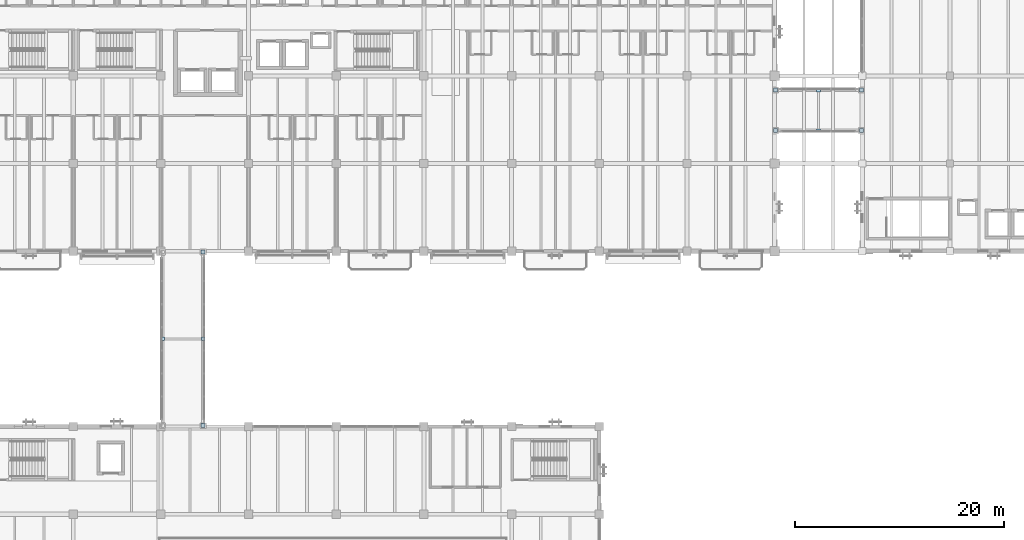
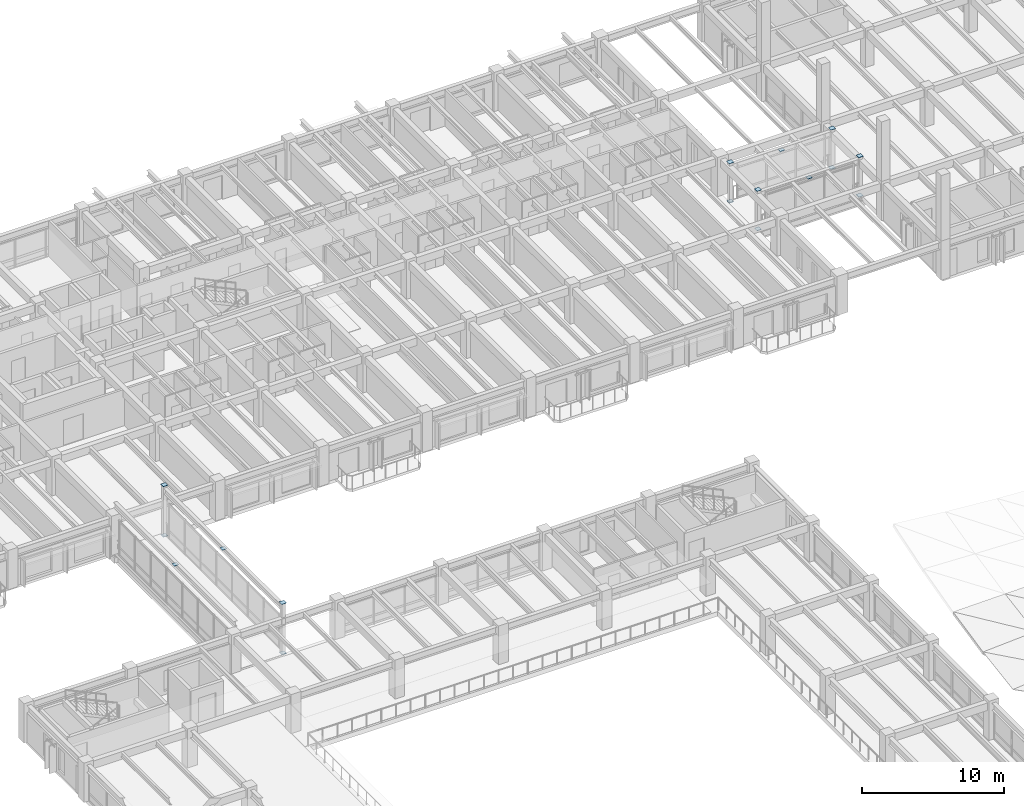
# One storey, part 73 of 123: 16 plates.
"""IFC4 building model written with IfcOpenShell, lengths in metres."""

from ifc_helpers import new_model, si_unit, direction, frame, origin, origin_2d, place, context, subcontext, project, spatial, rectangle, extrude, material, layer, layer_set, type_object, element, save


model = new_model("IFC4")

# Units and contexts
model_context = context("Model", 3, precision=1e-05, world=origin(), true_north=direction((0.0, 1.0)))
body_context = subcontext(model_context, "Body", "Model", "MODEL_VIEW")
ifc_project = project(units=[si_unit("LENGTHUNIT", "METRE"), si_unit("AREAUNIT", "SQUARE_METRE"), si_unit("VOLUMEUNIT", "CUBIC_METRE"), si_unit("PLANEANGLEUNIT", "RADIAN"), si_unit("MASSUNIT", "GRAM", prefix="KILO")], contexts=[model_context])

# Site, building, storey
site_placement = place(None, origin())
site = spatial("IfcSite", under=ifc_project, at=site_placement, CompositionType="ELEMENT")
building_placement = place(site_placement, origin())
building = spatial("IfcBuilding", under=site, at=building_placement, Name="Cumbredor Promenade Congress Hotel", CompositionType="ELEMENT")
storey_placement = place(building_placement, frame((0.0, 0.0, 11.760009765625)))
storey = spatial("IfcBuildingStorey", under=building, at=storey_placement, Name="L03", CompositionType="ELEMENT", Elevation=11.760009765625)

# Plates
ifc_material = material(Name="Steel ASTM A572 Grade 50", Category="steel")
ifc_layer_1 = layer(ifc_material, 0.02392578125, Name="Steel ASTM A572 Grade 50", Category="steel")
ifc_layer_set_1 = layer_set([ifc_layer_1], Name="Steel ASTM A572 Grade 50")
plate_type_1 = type_object("IfcPlateType", Name="Bridge Truss Node Assembly ND-06", PredefinedType="USERDEFINED", material=ifc_layer_set_1)
for number, where, z_axis, x_axis, name in (
    (1, (25.35009765625, 75.60009765625, 3.901611328125), (0.0, 0.0, 1.0), (1.0, 0.0, 0.0), "West Congress-to-Hotel Glazed Bridge Bridge Truss Node ND-06"),
    (2, (29.25, 75.60009765625, 3.901611328125), (0.0, 0.0, 1.0), (1.0, 0.0, 0.0), "West Congress-to-Hotel Glazed Bridge Bridge Truss Node ND-06"),
    (3, (88.199951171875, 95.550048828125, 2.951416015625), (0.0, 0.0, 1.0), (1.0, 0.0, 0.0), "North Hotel-to-Forum Glazed Bridge Bridge Truss Node ND-06"),
    (4, (88.199951171875, 99.449951171875, 2.951416015625), (0.0, 0.0, 1.0), (1.0, 0.0, 0.0), "North Hotel-to-Forum Glazed Bridge Bridge Truss Node ND-06"),
):
    element("IfcPlate", number, at=place(storey_placement, frame(where, z_axis=z_axis, x_axis=x_axis)), inside=storey, type_object=plate_type_1, Name=name, ObjectType="GUSSET PLATE", PredefinedType="USERDEFINED", context=body_context, shape_type="SweptSolid", body=[
        extrude(rectangle(XDim=0.360107421875, YDim=0.360107421875, at=origin_2d()), origin(), (0.0, 0.0, 1.0), 0.02392578125),
    ])
ifc_layer_2 = layer(ifc_material, 0.02001953125, Name="Steel ASTM A572 Grade 50", Category="steel")
ifc_layer_set_2 = layer_set([ifc_layer_2], Name="Steel ASTM A572 Grade 50")
plate_type_2 = type_object("IfcPlateType", Name="Hollow Section End Cap Plate CP-04", PredefinedType="USERDEFINED", material=ifc_layer_set_2)
for number, where, z_axis, x_axis, name in (
    (5, (29.25, 67.280029296875, -0.01806640625), (0.0, 0.0, 1.0), (1.0, 0.0, 0.0), "L03 West Congress-to-Hotel Glazed Bridge Support Column 2 Start Cap Plate"),
    (6, (29.25, 67.280029296875, 4.307861328125), (0.0, 0.0, 1.0), (1.0, 0.0, 0.0), "L03 West Congress-to-Hotel Glazed Bridge Support Column 2 End Cap Plate"),
    (7, (29.25, 83.919921875, -0.01806640625), (0.0, 0.0, 1.0), (1.0, 0.0, 0.0), "L03 West Congress-to-Hotel Glazed Bridge Support Column 4 Start Cap Plate"),
    (8, (29.25, 83.919921875, 4.307861328125), (0.0, 0.0, 1.0), (1.0, 0.0, 0.0), "L03 West Congress-to-Hotel Glazed Bridge Support Column 4 End Cap Plate"),
    (9, (84.080078125, 95.550048828125, -0.01806640625), (0.0, 0.0, 1.0), (1.0, 0.0, 0.0), "L03 North Hotel-to-Forum Glazed Bridge Support Column 1 Start Cap Plate"),
    (10, (84.080078125, 95.550048828125, 3.35791015625), (0.0, 0.0, 1.0), (1.0, 0.0, 0.0), "L03 North Hotel-to-Forum Glazed Bridge Support Column 1 End Cap Plate"),
    (11, (84.080078125, 99.449951171875, -0.01806640625), (0.0, 0.0, 1.0), (1.0, 0.0, 0.0), "L03 North Hotel-to-Forum Glazed Bridge Support Column 2 Start Cap Plate"),
    (12, (84.080078125, 99.449951171875, 3.35791015625), (0.0, 0.0, 1.0), (1.0, 0.0, 0.0), "L03 North Hotel-to-Forum Glazed Bridge Support Column 2 End Cap Plate"),
    (13, (92.320068359375, 95.550048828125, -0.01806640625), (0.0, 0.0, 1.0), (1.0, 0.0, 0.0), "L03 North Hotel-to-Forum Glazed Bridge Support Column 3 Start Cap Plate"),
    (14, (92.320068359375, 95.550048828125, 3.35791015625), (0.0, 0.0, 1.0), (1.0, 0.0, 0.0), "L03 North Hotel-to-Forum Glazed Bridge Support Column 3 End Cap Plate"),
    (15, (92.320068359375, 99.449951171875, -0.01806640625), (0.0, 0.0, 1.0), (1.0, 0.0, 0.0), "L03 North Hotel-to-Forum Glazed Bridge Support Column 4 Start Cap Plate"),
    (16, (92.320068359375, 99.449951171875, 3.35791015625), (0.0, 0.0, 1.0), (1.0, 0.0, 0.0), "L03 North Hotel-to-Forum Glazed Bridge Support Column 4 End Cap Plate"),
):
    element("IfcPlate", number, at=place(storey_placement, frame(where, z_axis=z_axis, x_axis=x_axis)), inside=storey, type_object=plate_type_2, Name=name, ObjectType="CAP PLATE", PredefinedType="USERDEFINED", context=body_context, shape_type="SweptSolid", body=[
        extrude(rectangle(XDim=0.3798828125, YDim=0.3798828125, at=origin_2d()), origin(), (0.0, 0.0, 1.0), 0.02001953125),
    ])

save(model, "model.ifc")
